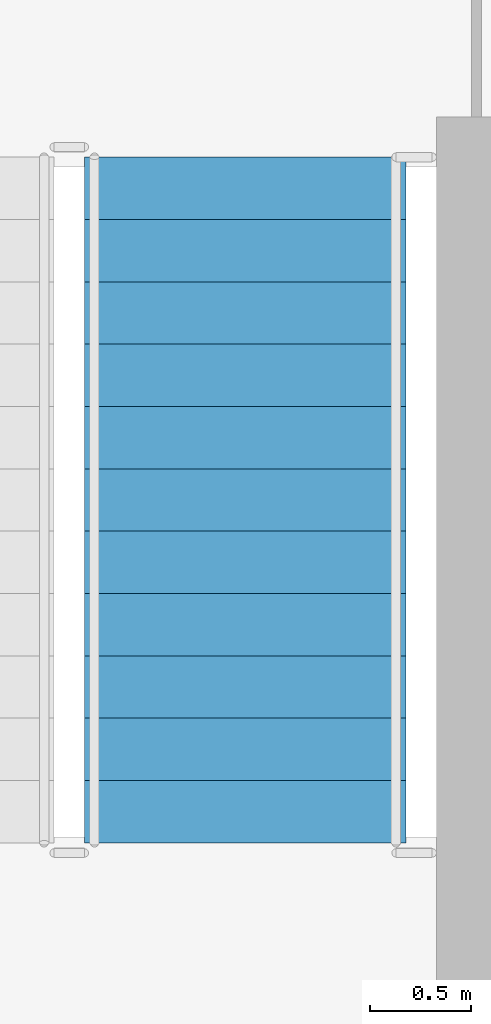
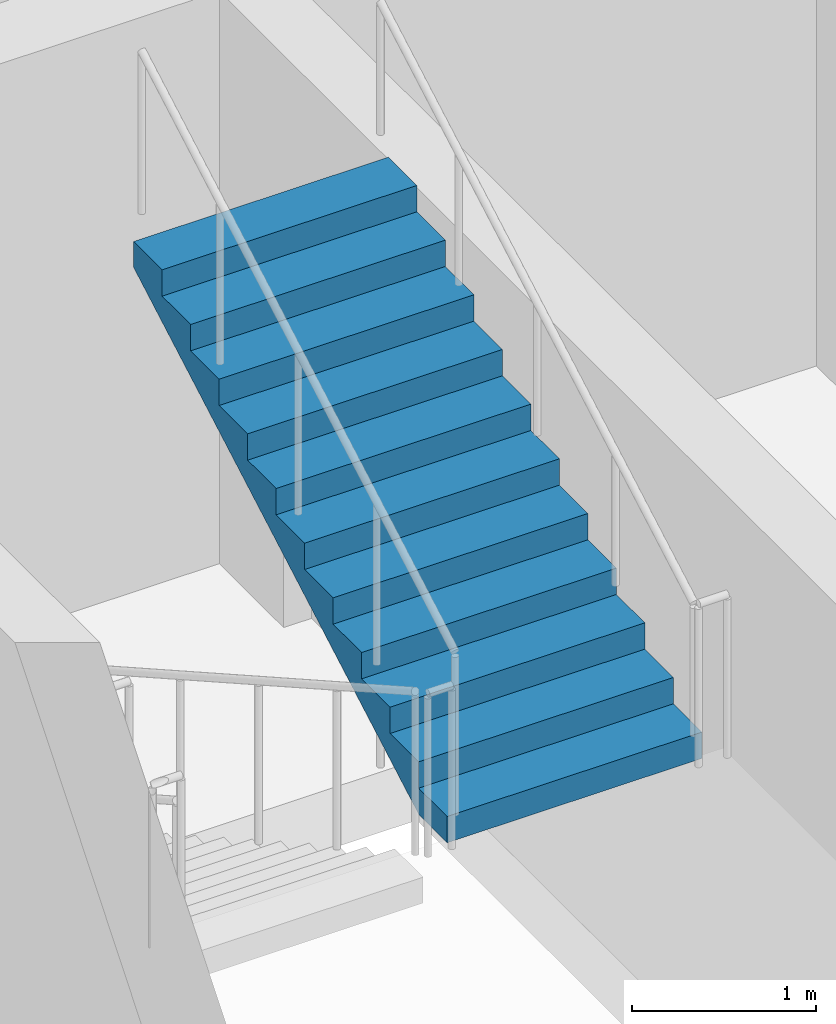
# One storey, part 17 of 28: 1 stair flight, 1 element without a shape of its own.
"""IFC4 building model written with IfcOpenShell, lengths in metres."""

from ifc_helpers import new_model, si_unit, direction, frame, origin, place, context, subcontext, project, spatial, polyline, outline, extrude, material, type_object, element, aggregate, save


model = new_model("IFC4")

# Units and contexts
model_context = context("Model", 3, precision=1e-05, world=origin(), true_north=direction((0.0, 1.0)))
body_context = subcontext(model_context, "Body", "Model", "MODEL_VIEW")
ifc_project = project(units=[si_unit("LENGTHUNIT", "METRE"), si_unit("AREAUNIT", "SQUARE_METRE"), si_unit("VOLUMEUNIT", "CUBIC_METRE"), si_unit("PLANEANGLEUNIT", "RADIAN"), si_unit("MASSUNIT", "GRAM", prefix="KILO")], contexts=[model_context])

# Site, building, storey
site_placement = place(None, origin())
site = spatial("IfcSite", under=ifc_project, at=site_placement, CompositionType="ELEMENT")
building_placement = place(site_placement, origin())
building = spatial("IfcBuilding", under=site, at=building_placement, Name="Madar Terraces", CompositionType="ELEMENT")
storey_placement = place(building_placement, frame((0.0, 0.0, 305.89990234375)))
storey = spatial("IfcBuildingStorey", under=building, at=storey_placement, Name="L79", CompositionType="ELEMENT", Elevation=305.89990234375)

# Stair, stair flight
ifc_material_1 = material(Name="Concrete C50/60", Category="concrete")
stair_type = type_object("IfcStairType", Name="Stair ST2 protected exit", PredefinedType="HALF_TURN_STAIR", material=ifc_material_1)
stair_placement = place(storey_placement, origin())
stair = element("IfcStair", 1, at=stair_placement, inside=storey, type_object=stair_type, Name="L79 Protected Exit Stair ST2", PredefinedType="HALF_TURN_STAIR")
ifc_material_2 = material(Name="Concrete C50/60", Category="concrete")
stair_flight_type = type_object("IfcStairFlightType", Name="Stair flight ST2-F6, 1600 wide, 12 risers", PredefinedType="STRAIGHT", material=ifc_material_2)
stair_flight_placement = place(storey_placement, frame((42.199951171875, 31.7900390625, 2.10009765625), z_axis=(0.0, 0.0, 1.0), x_axis=(0.0, 1.0, 0.0)))
stair_flight = element("IfcStairFlight", 2, at=stair_flight_placement, type_object=stair_flight_type, Name="ST2 flight 2", NumberOfRisers=12, NumberOfTreads=11, PredefinedType="STRAIGHT", RiserHeight=0.175, TreadLength=0.31, context=body_context, shape_type="SweptSolid", body=[
    extrude(outline(polyline([(0.0, 0.0), (0.0, 0.175048828125), (0.31005859375, 0.175048828125), (0.31005859375, 0.35009765625), (0.6201171875, 0.35009765625), (0.6201171875, 0.52490234375), (0.929931640625, 0.52490234375), (0.929931640625, 0.699951171875), (1.239990234375, 0.699951171875), (1.239990234375, 0.875), (1.550048828125, 0.875), (1.550048828125, 1.050048828125), (1.860107421875, 1.050048828125), (1.860107421875, 1.22509765625), (2.169921875, 1.22509765625), (2.169921875, 1.39990234375), (2.47998046875, 1.39990234375), (2.47998046875, 1.574951171875), (2.7900390625, 1.574951171875), (2.7900390625, 1.75), (3.10009765625, 1.75), (3.10009765625, 1.925048828125), (3.409912109375, 1.925048828125), (3.409912109375, 2.10009765625), (3.409912109375, 1.7529296875), (0.304931640625, 0.0), (0.0, 0.0)])), frame((0.0, 0.800048828125, 0.0), z_axis=(0.0, -1.0, 0.0), x_axis=(1.0, 0.0, 0.0)), (0.0, 0.0, 1.0), 1.60009765625),
])
aggregate(stair, [stair_flight])

save(model, "model.ifc")
